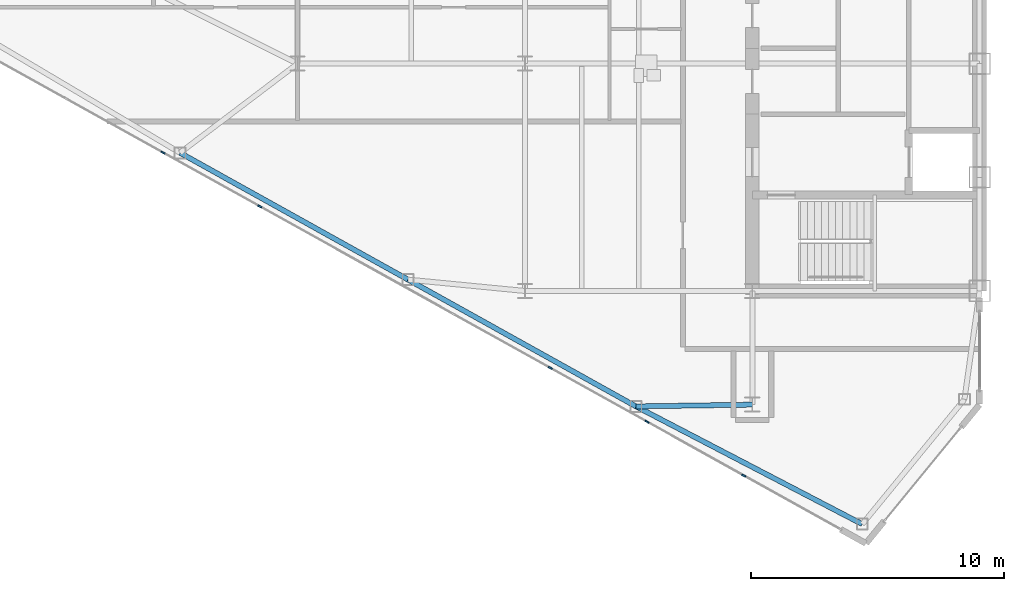
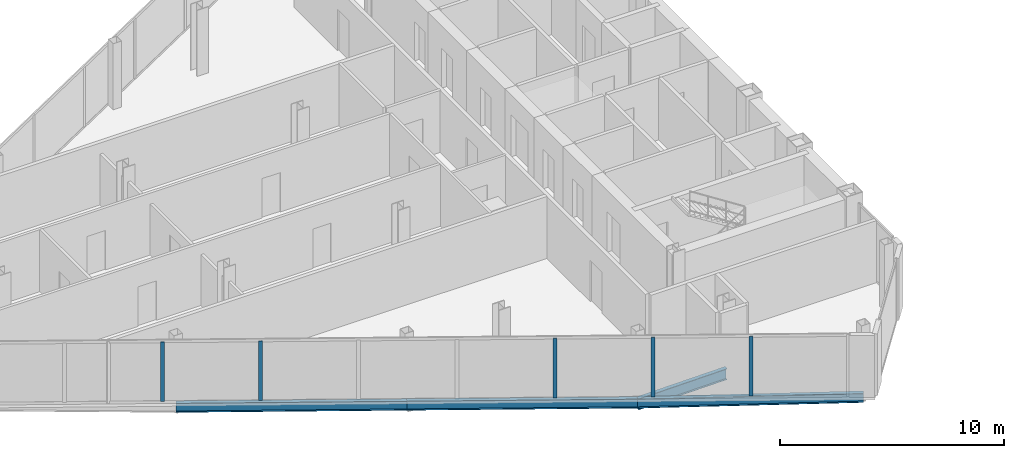
# One storey, part 3 of 26: 5 members, 4 beams, 1 element without a shape of its own.
"""IFC4 building model written with IfcOpenShell, lengths in metres."""

import ifcopenshell
import ifcopenshell.guid

model = None  # the IFC model being written
_history = None  # IfcOwnerHistory: only IFC2X3 demands one
_inside = {}  # id of a spatial element -> (the spatial element, [elements in it])
_under = {}  # id of a project, library or spatial element -> (it, [spatial elements below it])
_declared = {}  # id of a project -> (the project, [libraries it declares])
_typed = {}  # id of a type object -> (the type object, [elements of that type])
_made_of = {}  # id of a material, layer set ... -> (it, [elements and type objects made of it])


def new_model(schema):
    """Start an empty IFC model of exactly this schema.

    Asked for "IFC4X3", IfcOpenShell would pick the latest addendum, in which some entities
    have other attributes; the version numbers below select the first issue.
    IFC2X3 requires an IfcOwnerHistory on every rooted entity: one is made here for all.
    """
    global model, _history
    if schema == "IFC4X3":
        model = ifcopenshell.file(schema_version=(4, 3, 0, 0))
    else:
        model = ifcopenshell.file(schema=schema)
    _inside.clear()
    _under.clear()
    _declared.clear()
    _typed.clear()
    _made_of.clear()
    _history = None
    if model.schema == "IFC2X3":
        org = make("IfcOrganization", Name="unknown")
        user = make(
            "IfcPersonAndOrganization",
            ThePerson=make("IfcPerson", FamilyName="unknown"),
            TheOrganization=org,
        )
        app = make(
            "IfcApplication",
            ApplicationDeveloper=org,
            Version="unknown",
            ApplicationFullName="unknown",
            ApplicationIdentifier="unknown",
        )
        _history = make(
            "IfcOwnerHistory",
            OwningUser=user,
            OwningApplication=app,
            ChangeAction="ADDED",
            CreationDate=0,
        )
    return model


def make(cls, **values):
    """One entity of the class cls with the attributes given. An attribute that is None is left unset."""
    return model.create_entity(
        cls, **{name: value for name, value in values.items() if value is not None}
    )


def rooted(cls, **values):
    """An entity with a GlobalId (a new one), such as an element, a storey or a relation."""
    return make(cls, GlobalId=ifcopenshell.guid.new(), OwnerHistory=_history, **values)


def si_unit(unit_type, name, prefix=None):
    """IfcSIUnit, for example si_unit("LENGTHUNIT", "METRE", prefix="MILLI")."""
    return make("IfcSIUnit", UnitType=unit_type, Prefix=prefix, Name=name)


def assignment(units):
    """IfcUnitAssignment: the units of a project."""
    return None if units is None else make("IfcUnitAssignment", Units=units)


def point(xyz):
    """IfcCartesianPoint."""
    return None if xyz is None else make("IfcCartesianPoint", Coordinates=xyz)


def direction(xyz):
    """IfcDirection."""
    return None if xyz is None else make("IfcDirection", DirectionRatios=xyz)


def frame(location, z_axis=None, x_axis=None):
    """IfcAxis2Placement3D, a coordinate frame: its origin and axes. An axis left out is left unset."""
    return make(
        "IfcAxis2Placement3D",
        Location=point(location),
        Axis=direction(z_axis),
        RefDirection=direction(x_axis),
    )


def frame_2d(location, x_axis=None):
    """IfcAxis2Placement2D, a coordinate frame in the plane: its origin and x axis."""
    return make(
        "IfcAxis2Placement2D", Location=point(location), RefDirection=direction(x_axis)
    )


def origin():
    """The frame at (0, 0, 0) with its axes left unset."""
    return frame((0.0, 0.0, 0.0))


def origin_2d():
    """The frame at (0, 0) in the plane with its x axis left unset."""
    return frame_2d((0.0, 0.0))


def place(relative_to, where):
    """IfcLocalPlacement: puts the frame where relative to a parent placement (None: the world)."""
    return make(
        "IfcLocalPlacement", PlacementRelTo=relative_to, RelativePlacement=where
    )


def context(
    kind, dimensions, precision=None, world=None, true_north=None, identifier=None
):
    """IfcGeometricRepresentationContext, for example the 3D "Model" context."""
    return make(
        "IfcGeometricRepresentationContext",
        ContextIdentifier=identifier,
        ContextType=kind,
        CoordinateSpaceDimension=dimensions,
        Precision=precision,
        WorldCoordinateSystem=world,
        TrueNorth=true_north,
    )


def subcontext(parent, identifier, kind, view, scale=None):
    """IfcGeometricRepresentationSubContext, for example "Body" below "Model"."""
    return make(
        "IfcGeometricRepresentationSubContext",
        ContextIdentifier=identifier,
        ContextType=kind,
        ParentContext=parent,
        TargetScale=scale,
        TargetView=view,
    )


def project(units=None, contexts=None):
    """IfcProject with its units and contexts."""
    return rooted(
        "IfcProject",
        Name="project",
        RepresentationContexts=contexts,
        UnitsInContext=assignment(units),
    )


def spatial(cls, under=None, at=None, **own):
    """A site, building, storey or space (cls), placed at a placement, below another one or the project."""
    s = rooted(cls, ObjectPlacement=at, **own)
    if under is not None:
        _under.setdefault(under.id(), (under, []))[1].append(s)
    return s


def profile(cls, at=None, kind="AREA", **sizes):
    """A parametric profile (cls). Its sizes go by their IFC names, for example OverallWidth=200.0."""
    return make(cls, ProfileType=kind, Position=at, **sizes)


def rectangle(**sizes):
    """IfcRectangleProfileDef."""
    return profile("IfcRectangleProfileDef", **sizes)


def i_section(**sizes):
    """IfcIShapeProfileDef."""
    return profile("IfcIShapeProfileDef", **sizes)


def extrude(swept, where, along, depth):
    """IfcExtrudedAreaSolid: the profile swept, set in the frame where, extruded along a direction by depth."""
    return make(
        "IfcExtrudedAreaSolid",
        SweptArea=swept,
        Position=where,
        ExtrudedDirection=direction(along),
        Depth=depth,
    )


def shape(context_of_items, identifier, shape_type, items):
    """IfcShapeRepresentation: the items that make up one representation, for example the "Body"."""
    return make(
        "IfcShapeRepresentation",
        ContextOfItems=context_of_items,
        RepresentationIdentifier=identifier,
        RepresentationType=shape_type,
        Items=items,
    )


def source(mapping_origin, context_of_items, identifier, shape_type, items):
    """IfcRepresentationMap: a shape defined once, which mapped items show again and again."""
    return make(
        "IfcRepresentationMap",
        MappingOrigin=mapping_origin,
        MappedRepresentation=shape(context_of_items, identifier, shape_type, items),
    )


def transform(
    local_origin,
    x_axis=None,
    y_axis=None,
    z_axis=None,
    scale=None,
    scale2=None,
    scale3=None,
    uniform=True,
):
    """IfcCartesianTransformationOperator3D, or its non-uniform kind. x_axis, y_axis, z_axis: its Axis1, 2, 3."""
    if uniform:
        return make(
            "IfcCartesianTransformationOperator3D",
            Axis1=direction(x_axis),
            Axis2=direction(y_axis),
            LocalOrigin=point(local_origin),
            Scale=scale,
            Axis3=direction(z_axis),
        )
    return make(
        "IfcCartesianTransformationOperator3DnonUniform",
        Axis1=direction(x_axis),
        Axis2=direction(y_axis),
        LocalOrigin=point(local_origin),
        Scale=scale,
        Axis3=direction(z_axis),
        Scale2=scale2,
        Scale3=scale3,
    )


def mapped(mapping_source, mapping_target):
    """IfcMappedItem: shows the shape of a source again, moved by a transform."""
    return make(
        "IfcMappedItem", MappingSource=mapping_source, MappingTarget=mapping_target
    )


def material(Name=None, Category=None):
    """IfcMaterial."""
    return make("IfcMaterial", Name=Name, Category=Category)


def layer(
    of_material, thickness, ventilated=None, Name=None, Category=None, Priority=None
):
    """IfcMaterialLayer: one layer of a wall or slab, of a material (None: an air gap)."""
    return make(
        "IfcMaterialLayer",
        Material=of_material,
        LayerThickness=thickness,
        IsVentilated=ventilated,
        Name=Name,
        Category=Category,
        Priority=Priority,
    )


def layer_set(layers, Name=None):
    """IfcMaterialLayerSet."""
    return make("IfcMaterialLayerSet", MaterialLayers=layers, LayerSetName=Name)


def material_profile(
    of_material, cross_section, Name=None, Category=None, Priority=None
):
    """IfcMaterialProfile: a cross section and its material."""
    return make(
        "IfcMaterialProfile",
        Name=Name,
        Material=of_material,
        Profile=cross_section,
        Priority=Priority,
        Category=Category,
    )


def profile_set(profiles, Name=None, composite=None):
    """IfcMaterialProfileSet."""
    return make(
        "IfcMaterialProfileSet",
        Name=Name,
        MaterialProfiles=profiles,
        CompositeProfile=composite,
    )


def made_of(thing, what):
    """Note that an element or type object is made of a material, layer set ...; save() writes the relation."""
    if what is not None:
        _made_of.setdefault(what.id(), (what, []))[1].append(thing)
    return thing


def type_object(cls, material=None, **own):
    """A type object (cls), such as IfcWallType, which elements share."""
    return made_of(rooted(cls, **own), material)


def type_shapes(of_type, sources):
    """Give a type object the sources (RepresentationMaps) that its elements show as mapped items."""
    of_type.RepresentationMaps = sources


def element(
    cls,
    number,
    at=None,
    inside=None,
    cuts=None,
    type_object=None,
    material=None,
    context=None,
    identifier="Body",
    shape_type=None,
    held_by="IfcProductDefinitionShape",
    body=None,
    shapes=None,
    **own,
):
    """One element of the class cls, such as IfcWall. Its Tag is "e" and its number.

    at: its placement. inside: the storey or other place that contains it. cuts: it is an
    opening in that element (IfcRelVoidsElement). A single representation is given by context,
    identifier, shape_type and body (its items); several are given by shapes. held_by: the class
    of the entity that holds the representations. save() writes the other relations.
    """
    e = rooted(cls, Tag="e%d" % number, ObjectPlacement=at, **own)
    if body is not None:
        shapes = [shape(context, identifier, shape_type, body)]
    if shapes is not None:
        e.Representation = make(held_by, Representations=shapes)
    if inside is not None:
        _inside.setdefault(inside.id(), (inside, []))[1].append(e)
    if cuts is not None:
        rooted(
            "IfcRelVoidsElement", RelatingBuildingElement=cuts, RelatedOpeningElement=e
        )
    if type_object is not None:
        _typed.setdefault(type_object.id(), (type_object, []))[1].append(e)
    return made_of(e, material)


def aggregate(whole, parts):
    """IfcRelAggregates: a whole, such as a stair, and the parts it consists of."""
    return rooted("IfcRelAggregates", RelatingObject=whole, RelatedObjects=parts)


def save(model, path):
    """Write the relations noted so far, then the file.

    IfcRelAggregates (storeys below a building ...), IfcRelContainedInSpatialStructure (elements
    in a storey), IfcRelDefinesByType, IfcRelAssociatesMaterial and IfcRelDeclares: one each for
    every whole, place, type object, material and project.
    """
    for whole, parts in _under.values():
        aggregate(whole, parts)
    for where, things in _inside.values():
        rooted(
            "IfcRelContainedInSpatialStructure",
            RelatedElements=things,
            RelatingStructure=where,
        )
    for kind, things in _typed.values():
        rooted("IfcRelDefinesByType", RelatedObjects=things, RelatingType=kind)
    for what, things in _made_of.values():
        rooted("IfcRelAssociatesMaterial", RelatedObjects=things, RelatingMaterial=what)
    for by, libraries in _declared.values():
        rooted("IfcRelDeclares", RelatingContext=by, RelatedDefinitions=libraries)
    model.write(path)


model = new_model("IFC4")

# Units and contexts
model_context = context("Model", 3, precision=1e-05, world=origin(), true_north=direction((0.0, 1.0)))
body_context = subcontext(model_context, "Body", "Model", "MODEL_VIEW")
ifc_project = project(units=[si_unit("LENGTHUNIT", "METRE"), si_unit("AREAUNIT", "SQUARE_METRE"), si_unit("VOLUMEUNIT", "CUBIC_METRE"), si_unit("PLANEANGLEUNIT", "RADIAN"), si_unit("MASSUNIT", "GRAM", prefix="KILO")], contexts=[model_context])

# Site, building, storey
site_placement = place(None, origin())
site = spatial("IfcSite", under=ifc_project, at=site_placement, CompositionType="ELEMENT")
building_placement = place(site_placement, origin())
building = spatial("IfcBuilding", under=site, at=building_placement, Name="Seokmaru Belvedere", CompositionType="ELEMENT")
storey_placement = place(building_placement, frame((0.0, 0.0, 192.300048828125)))
storey = spatial("IfcBuildingStorey", under=building, at=storey_placement, Name="L51", CompositionType="ELEMENT", Elevation=192.300048828125)

# Beams
ifc_material_1 = material(Name="Steel SM355 (355 MPa)", Category="steel")
ifc_material_profile_1 = material_profile(ifc_material_1, i_section(OverallWidth=0.199951171875, OverallDepth=0.5, WebThickness=0.010009765625, FlangeThickness=0.01611328125, at=origin_2d()), Name="H-500x200x10x16")
ifc_profile_set_1 = profile_set([ifc_material_profile_1], Name="Steel SM355 (355 MPa)")
beam_type_1 = type_object("IfcBeamType", Name="Perimeter Spandrel Beam H-500", PredefinedType="SPANDREL", material=ifc_profile_set_1)
shared_shape_1 = source(origin(), body_context, "Body", "SweptSolid", [
    extrude(i_section(OverallWidth=0.199951171875, OverallDepth=0.5, WebThickness=0.010009765625, FlangeThickness=0.01611328125, at=origin_2d()), origin(), (0.0, 0.0, 1.0), 10.09716796875),
])
beam_1_placement = place(storey_placement, frame((-32.146728515625, -22.731689453125, -0.469970703125), z_axis=(-0.887085728914, 0.461604711369, 0.0), x_axis=(-0.461604711369, -0.887085728914, 0.0)))
element("IfcBeam", 1, at=beam_1_placement, inside=storey, type_object=beam_type_1, Name="L51 W Faceted Flank Spandrel S-1", PredefinedType="SPANDREL", context=body_context, shape_type="MappedRepresentation", body=[
    mapped(shared_shape_1, transform((0.0, 0.0, 0.0), scale=1.0)),
])
shared_shape_2 = source(origin(), body_context, "Body", "SweptSolid", [
    extrude(i_section(OverallWidth=0.199951171875, OverallDepth=0.5, WebThickness=0.010009765625, FlangeThickness=0.01611328125, at=origin_2d()), origin(), (0.0, 0.0, 1.0), 10.327392578125),
])
type_shapes(beam_type_1, [shared_shape_1, shared_shape_2])
for number, where, z_axis, x_axis, name in (
    (2, (-41.103759765625, -18.07080078125, -0.469970703125), (-0.873924120588, 0.486062374037, 0.0), (-0.486062374037, -0.873924120588, 0.0), "L51 W Faceted Flank Spandrel S-2"),
    (3, (-50.129150390625, -13.051025390625, -0.469970703125), (-0.873934162361, 0.48604431882, 0.0), (-0.48604431882, -0.873934162361, 0.0), "L51 W Faceted Flank Spandrel S-3"),
):
    element("IfcBeam", number, at=place(storey_placement, frame(where, z_axis=z_axis, x_axis=x_axis)), inside=storey, type_object=beam_type_1, Name=name, PredefinedType="SPANDREL", context=body_context, shape_type="MappedRepresentation", body=[
        mapped(shared_shape_2, transform((0.0, 0.0, 0.0), scale=1.0)),
    ])
ifc_material_profile_2 = material_profile(ifc_material_1, i_section(OverallWidth=0.199951171875, OverallDepth=0.60009765625, WebThickness=0.010986328125, FlangeThickness=0.01708984375, at=origin_2d()), Name="H-600x200x11x17")
ifc_profile_set_2 = profile_set([ifc_material_profile_2], Name="Steel SM355 (355 MPa)")
beam_type_2 = type_object("IfcBeamType", Name="Primary Floor Girder H-600", PredefinedType="BEAM", material=ifc_profile_set_2)
shared_shape_3 = source(origin(), body_context, "Body", "SweptSolid", [
    extrude(i_section(OverallWidth=0.199951171875, OverallDepth=0.60009765625, WebThickness=0.010986328125, FlangeThickness=0.01708984375, at=origin_2d()), origin(), (0.0, 0.0, 1.0), 4.604248046875),
])
type_shapes(beam_type_2, [shared_shape_3])
beam_2_placement = place(storey_placement, frame((-41.103759765625, -18.07080078125, -0.52001953125), z_axis=(0.999881765622, 0.01537708607, 0.0), x_axis=(-0.01537708607, 0.999881765622, 0.0)))
element("IfcBeam", 4, at=beam_2_placement, inside=storey, type_object=beam_type_2, Name="L51 W Flank Radial Floor Girder S-1", PredefinedType="BEAM", context=body_context, shape_type="MappedRepresentation", body=[
    mapped(shared_shape_3, transform((0.0, 0.0, 0.0), scale=1.0)),
])

# Curtain wall, members
ifc_material_2 = material(Name="Bronze Triple Insulating Glass", Category="glass")
ifc_layer = layer(ifc_material_2, 0.179931640625)
ifc_layer_set = layer_set([ifc_layer], Name="Bronze Triple Insulating Glass")
curtain_wall_type = type_object("IfcCurtainWallType", Name="High-Rise Wind-Corner Curtain Wall System CW-5", PredefinedType="NOTDEFINED", material=ifc_layer_set)
curtain_wall_placement = place(storey_placement, origin())
curtain_wall = element("IfcCurtainWall", 5, at=curtain_wall_placement, inside=storey, type_object=curtain_wall_type, Name="L51 Curtain Wall WF5", PredefinedType="NOTDEFINED")
ifc_material_3 = material(Name="Anodised Bronze Aluminium", Category="aluminium")
ifc_material_profile_3 = material_profile(ifc_material_3, rectangle(XDim=0.06494140625, YDim=0.179931640625, at=origin_2d()), Name="CW-M-65x180")
ifc_profile_set_3 = profile_set([ifc_material_profile_3], Name="Anodised Bronze Aluminium")
member_type = type_object("IfcMemberType", Name="Bronze Unitised Mullion 65x180", PredefinedType="MULLION", material=ifc_profile_set_3)
shared_shape_4 = source(origin(), body_context, "Body", "SweptSolid", [
    extrude(rectangle(XDim=0.06494140625, YDim=0.179931640625, at=origin_2d()), origin(), (0.0, 0.0, 1.0), 3.25),
])
type_shapes(member_type, [shared_shape_4])
member_1_placement = place(storey_placement, frame((-59.83056640625, -8.021728515625, 0.06494140625), z_axis=(0.0, 0.0, 1.0), x_axis=(0.486047125147, 0.873932601598, 0.0)))
member_1 = element("IfcMember", 6, at=member_1_placement, type_object=member_type, Name="CW:L51:WF5 Mullion 3", PredefinedType="MULLION", context=body_context, shape_type="MappedRepresentation", body=[
    mapped(shared_shape_4, transform((0.0, 0.0, 0.0), scale=1.0)),
])
member_2_placement = place(storey_placement, frame((-55.998291015625, -10.153076171875, 0.06494140625), z_axis=(0.0, 0.0, 1.0), x_axis=(0.486047125147, 0.873932601598, 0.0)))
member_2 = element("IfcMember", 7, at=member_2_placement, type_object=member_type, Name="CW:L51:WF5 Mullion 4", PredefinedType="MULLION", context=body_context, shape_type="MappedRepresentation", body=[
    mapped(shared_shape_4, transform((0.0, 0.0, 0.0), scale=1.0)),
])
member_3_placement = place(storey_placement, frame((-44.501708984375, -16.547119140625, 0.06494140625), z_axis=(0.0, 0.0, 1.0), x_axis=(0.486047125147, 0.873932601598, 0.0)))
member_3 = element("IfcMember", 8, at=member_3_placement, type_object=member_type, Name="CW:L51:WF5 Mullion 7", PredefinedType="MULLION", context=body_context, shape_type="MappedRepresentation", body=[
    mapped(shared_shape_4, transform((0.0, 0.0, 0.0), scale=1.0)),
])
member_4_placement = place(storey_placement, frame((-40.66943359375, -18.67822265625, 0.06494140625), z_axis=(0.0, 0.0, 1.0), x_axis=(0.486047125147, 0.873932601598, 0.0)))
member_4 = element("IfcMember", 9, at=member_4_placement, type_object=member_type, Name="CW:L51:WF5 Mullion 8", PredefinedType="MULLION", context=body_context, shape_type="MappedRepresentation", body=[
    mapped(shared_shape_4, transform((0.0, 0.0, 0.0), scale=1.0)),
])
member_5_placement = place(storey_placement, frame((-36.837158203125, -20.809814453125, 0.06494140625), z_axis=(0.0, 0.0, 1.0), x_axis=(0.486047125147, 0.873932601598, 0.0)))
member_5 = element("IfcMember", 10, at=member_5_placement, type_object=member_type, Name="CW:L51:WF5 Mullion 9", PredefinedType="MULLION", context=body_context, shape_type="MappedRepresentation", body=[
    mapped(shared_shape_4, transform((0.0, 0.0, 0.0), scale=1.0)),
])
aggregate(curtain_wall, [member_1, member_2, member_3, member_4, member_5])

save(model, "model.ifc")
